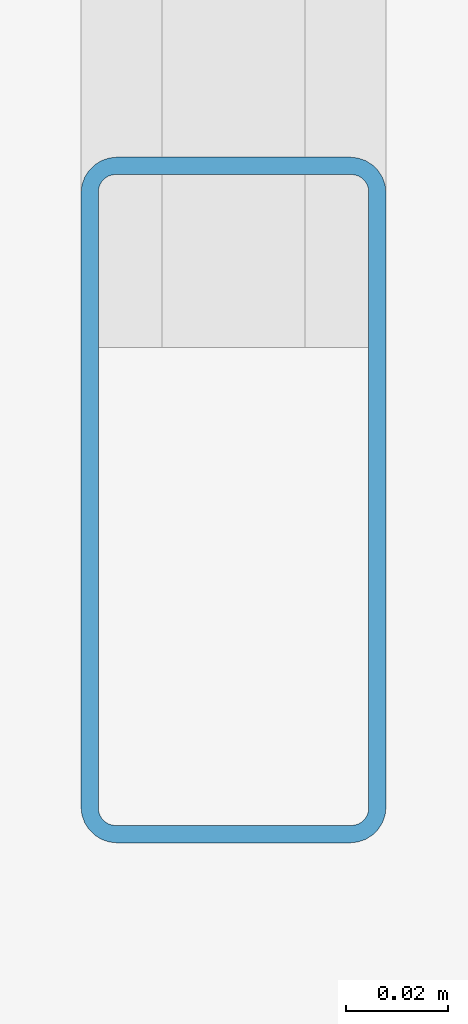
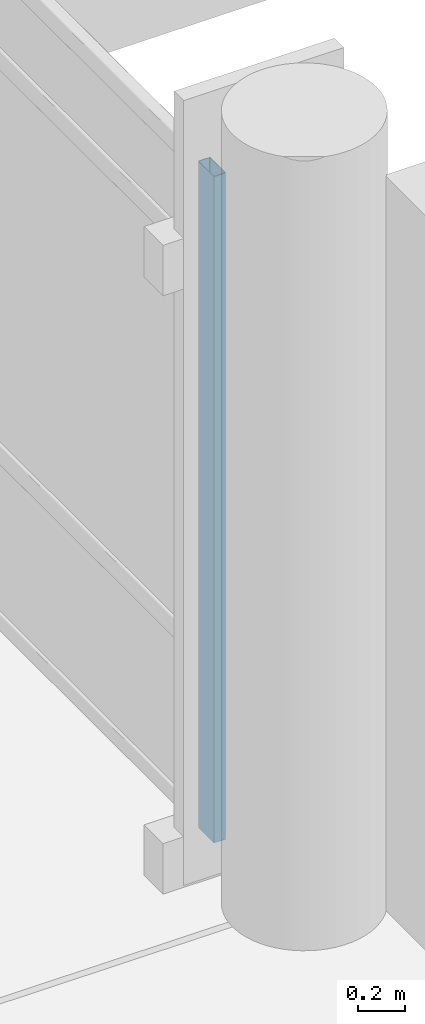
# One storey, part 44 of 180: 1 member, 1 element without a shape of its own.
"""IFC4 building model written with IfcOpenShell, lengths in metres."""

from ifc_helpers import new_model, si_unit, direction, frame, origin, origin_2d, place, context, subcontext, project, spatial, hollow_rectangle, extrude, material, layer, layer_set, material_profile, profile_set, type_object, element, aggregate, save


model = new_model("IFC4")

# Units and contexts
model_context = context("Model", 3, precision=1e-05, world=origin(), true_north=direction((0.0, 1.0)))
body_context = subcontext(model_context, "Body", "Model", "MODEL_VIEW")
ifc_project = project(units=[si_unit("LENGTHUNIT", "METRE"), si_unit("AREAUNIT", "SQUARE_METRE"), si_unit("VOLUMEUNIT", "CUBIC_METRE"), si_unit("PLANEANGLEUNIT", "RADIAN"), si_unit("MASSUNIT", "GRAM", prefix="KILO")], contexts=[model_context])

# Site, building, storey
site_placement = place(None, origin())
site = spatial("IfcSite", under=ifc_project, at=site_placement, CompositionType="ELEMENT")
building_placement = place(site_placement, origin())
building = spatial("IfcBuilding", under=site, at=building_placement, Name="Asteropetra Specialist Clinic", CompositionType="ELEMENT")
storey_placement = place(building_placement, frame((0.0, 0.0, 4.419921875)))
storey = spatial("IfcBuildingStorey", under=building, at=storey_placement, Name="L01", CompositionType="ELEMENT", Elevation=4.419921875)

# Curtain wall, member
ifc_material_1 = material(Name="Aluminium and low-E glass", Category="aluminium")
ifc_layer = layer(ifc_material_1, 0.135009765625)
ifc_layer_set = layer_set([ifc_layer], Name="Aluminium and low-E glass")
curtain_wall_type = type_object("IfcCurtainWallType", Name="CW-SYS-09", PredefinedType="USERDEFINED", material=ifc_layer_set)
curtain_wall_placement = place(storey_placement, origin())
curtain_wall = element("IfcCurtainWall", 1, at=curtain_wall_placement, inside=storey, type_object=curtain_wall_type, Name="Curtain Wall CW-104", ObjectType="STICK GLAZED COLONNADE", PredefinedType="USERDEFINED")
ifc_material_2 = material(Name="Aluminium 6063-T6", Category="aluminium")
ifc_material_profile = material_profile(ifc_material_2, hollow_rectangle(XDim=0.06005859375, YDim=0.135009765625, WallThickness=0.00341796875, InnerFilletRadius=0.00341796875, OuterFilletRadius=0.007080078125, at=origin_2d()), Name="MUL 135x60x3.5")
ifc_profile_set = profile_set([ifc_material_profile], Name="Aluminium 6063-T6")
member_type = type_object("IfcMemberType", Name="CWM-135x60", PredefinedType="MULLION", material=ifc_profile_set)
member_placement = place(storey_placement, frame((28.719970703125, 63.0400390625, 0.0), z_axis=(0.0, 0.0, 1.0), x_axis=(1.0, 0.0, 0.0)))
member = element("IfcMember", 2, at=member_placement, type_object=member_type, Name="CW-104 mullion 4", PredefinedType="MULLION", context=body_context, shape_type="SweptSolid", body=[
    extrude(hollow_rectangle(XDim=0.06005859375, YDim=0.135009765625, WallThickness=0.00341796875, InnerFilletRadius=0.00341796875, OuterFilletRadius=0.007080078125, at=origin_2d()), origin(), (0.0, 0.0, 1.0), 3.43017578125),
])
aggregate(curtain_wall, [member])

save(model, "model.ifc")
